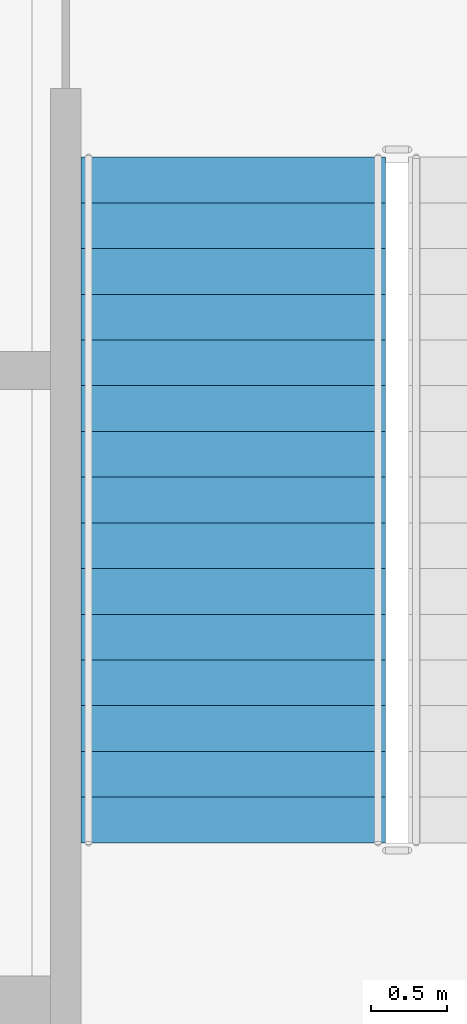
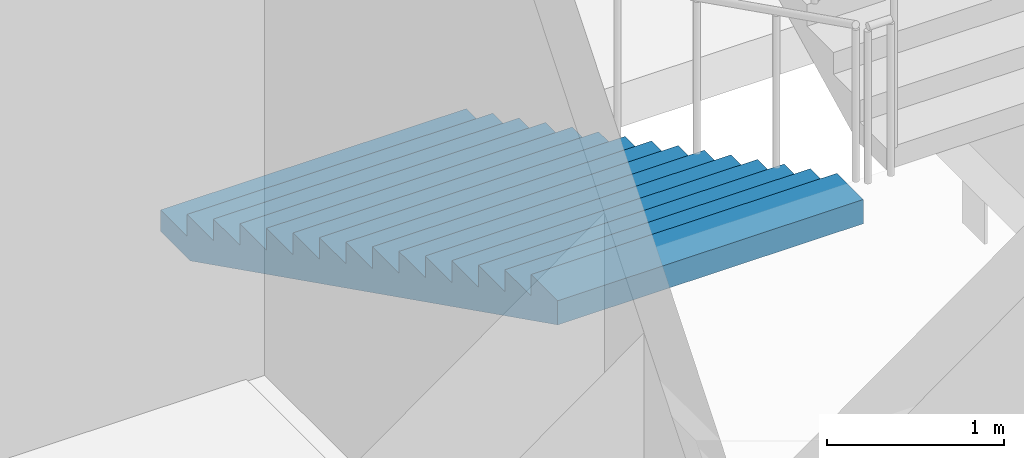
# One storey, part 60 of 91: 1 stair flight, 1 element without a shape of its own.
"""IFC4 building model written with IfcOpenShell, lengths in metres."""

from ifc_helpers import new_model, si_unit, direction, frame, origin, place, context, subcontext, project, spatial, faceted_brep, material, type_object, element, aggregate, save


model = new_model("IFC4")

# Units and contexts
model_context = context("Model", 3, precision=1e-05, world=origin(), true_north=direction((0.0, 1.0)))
body_context = subcontext(model_context, "Body", "Model", "MODEL_VIEW")
ifc_project = project(units=[si_unit("LENGTHUNIT", "METRE"), si_unit("AREAUNIT", "SQUARE_METRE"), si_unit("VOLUMEUNIT", "CUBIC_METRE"), si_unit("PLANEANGLEUNIT", "RADIAN"), si_unit("MASSUNIT", "GRAM", prefix="KILO")], contexts=[model_context])

# Site, building, storey
site_placement = place(None, origin())
site = spatial("IfcSite", under=ifc_project, at=site_placement, CompositionType="ELEMENT")
building_placement = place(site_placement, origin())
building = spatial("IfcBuilding", under=site, at=building_placement, Name="Kiln Court Media Centre", CompositionType="ELEMENT")
storey_placement = place(building_placement, frame((0.0, 0.0, 5.39990234375)))
storey = spatial("IfcBuildingStorey", under=building, at=storey_placement, Name="L01", CompositionType="ELEMENT", Elevation=5.39990234375)

# Stair, stair flight
ifc_material_1 = material(Name="Concrete C40/50", Category="concrete")
stair_type = type_object("IfcStairType", Name="Concrete C40/50 dog-leg stair 2000 wide, 150 riser", PredefinedType="HALF_TURN_STAIR", material=ifc_material_1)
stair_placement = place(storey_placement, origin())
stair = element("IfcStair", 1, at=stair_placement, inside=storey, type_object=stair_type, Name="ST-12 L01", PredefinedType="HALF_TURN_STAIR")
ifc_material_2 = material(Name="Concrete C40/50", Category="concrete")
stair_flight_type = type_object("IfcStairFlightType", Name="Concrete C40/50 stair flight 2000 wide, 150 riser, 300 going", PredefinedType="STRAIGHT", material=ifc_material_2)
stair_flight_placement = place(storey_placement, frame((97.199951171875, 64.39990234375, 0.0), z_axis=(0.0, 0.0, 1.0), x_axis=(0.0, -1.0, 0.0)))
stair_flight = element("IfcStairFlight", 2, at=stair_flight_placement, type_object=stair_flight_type, Name="L01-ST-5011 flight 5022", NumberOfRisers=16, NumberOfTreads=15, PredefinedType="STRAIGHT", RiserHeight=0.15, TreadLength=0.3, context=body_context, shape_type="Brep", body=[
    faceted_brep([(0.335205078125, -1.0, 0.0), (4.5, -1.0, 2.08251953125), (4.5, -1.0, 2.25), (4.199951171875, -1.0, 2.25), (4.199951171875, -1.0, 2.10009765625), (3.89990234375, -1.0, 2.10009765625), (3.89990234375, -1.0, 1.949951171875), (3.60009765625, -1.0, 1.949951171875), (3.60009765625, -1.0, 1.800048828125), (3.300048828125, -1.0, 1.800048828125), (3.300048828125, -1.0, 1.64990234375), (3.0, -1.0, 1.64990234375), (3.0, -1.0, 1.5), (2.699951171875, -1.0, 1.5), (2.699951171875, -1.0, 1.35009765625), (2.39990234375, -1.0, 1.35009765625), (2.39990234375, -1.0, 1.199951171875), (2.10009765625, -1.0, 1.199951171875), (2.10009765625, -1.0, 1.050048828125), (1.800048828125, -1.0, 1.050048828125), (1.800048828125, -1.0, 0.89990234375), (1.5, -1.0, 0.89990234375), (1.5, -1.0, 0.75), (1.199951171875, -1.0, 0.75), (1.199951171875, -1.0, 0.60009765625), (0.89990234375, -1.0, 0.60009765625), (0.89990234375, -1.0, 0.449951171875), (0.60009765625, -1.0, 0.449951171875), (0.60009765625, -1.0, 0.300048828125), (0.300048828125, -1.0, 0.300048828125), (0.300048828125, -1.0, 0.14990234375), (0.0, -1.0, 0.14990234375), (0.0, -1.0, 0.0), (0.0, 1.0, 0.0), (0.0, 1.0, 0.14990234375), (0.300048828125, 1.0, 0.14990234375), (0.300048828125, 1.0, 0.300048828125), (0.60009765625, 1.0, 0.300048828125), (0.60009765625, 1.0, 0.449951171875), (0.89990234375, 1.0, 0.449951171875), (0.89990234375, 1.0, 0.60009765625), (1.199951171875, 1.0, 0.60009765625), (1.199951171875, 1.0, 0.75), (1.5, 1.0, 0.75), (1.5, 1.0, 0.89990234375), (1.800048828125, 1.0, 0.89990234375), (1.800048828125, 1.0, 1.050048828125), (2.10009765625, 1.0, 1.050048828125), (2.10009765625, 1.0, 1.199951171875), (2.39990234375, 1.0, 1.199951171875), (2.39990234375, 1.0, 1.35009765625), (2.699951171875, 1.0, 1.35009765625), (2.699951171875, 1.0, 1.5), (3.0, 1.0, 1.5), (3.0, 1.0, 1.64990234375), (3.300048828125, 1.0, 1.64990234375), (3.300048828125, 1.0, 1.800048828125), (3.60009765625, 1.0, 1.800048828125), (3.60009765625, 1.0, 1.949951171875), (3.89990234375, 1.0, 1.949951171875), (3.89990234375, 1.0, 2.10009765625), (4.199951171875, 1.0, 2.10009765625), (4.199951171875, 1.0, 2.25), (4.5, 1.0, 2.25), (4.5, 1.0, 2.08251953125), (0.335205078125, 1.0, 0.0), (4.5, 0.10009765625, 2.08251953125), (0.335205078125, 0.10009765625, 0.0), (4.5, 0.080078125, 2.08251953125), (0.335205078125, 0.080078125, 0.0), (4.5, 0.06005859375, 2.08251953125), (0.335205078125, 0.06005859375, 0.0), (4.5, 0.0400390625, 2.08251953125), (0.335205078125, 0.0400390625, 0.0), (4.5, 0.02001953125, 2.08251953125), (0.335205078125, 0.02001953125, 0.0), (4.5, 0.0, 2.08251953125), (0.335205078125, 0.0, 0.0), (4.5, -0.02001953125, 2.08251953125), (0.335205078125, -0.02001953125, 0.0), (4.5, -0.0400390625, 2.08251953125), (0.335205078125, -0.0400390625, 0.0), (4.5, -0.06005859375, 2.08251953125), (0.335205078125, -0.06005859375, 0.0), (4.5, -0.080078125, 2.08251953125), (0.335205078125, -0.080078125, 0.0), (4.5, -0.10009765625, 2.08251953125), (0.335205078125, -0.10009765625, 0.0), (4.5, 0.10009765625, 2.25), (4.5, 0.080078125, 2.25), (4.5, 0.06005859375, 2.25), (4.5, 0.0400390625, 2.25), (4.5, 0.02001953125, 2.25), (4.5, 0.0, 2.25), (4.5, -0.02001953125, 2.25), (4.5, -0.0400390625, 2.25), (4.5, -0.06005859375, 2.25), (4.5, -0.080078125, 2.25), (4.5, -0.10009765625, 2.25), (4.199951171875, 0.10009765625, 2.25), (4.199951171875, 0.080078125, 2.25), (4.199951171875, 0.06005859375, 2.25), (4.199951171875, 0.0400390625, 2.25), (4.199951171875, 0.02001953125, 2.25), (4.199951171875, 0.0, 2.25), (4.199951171875, -0.02001953125, 2.25), (4.199951171875, -0.0400390625, 2.25), (4.199951171875, -0.06005859375, 2.25), (4.199951171875, -0.080078125, 2.25), (4.199951171875, -0.10009765625, 2.25), (4.199951171875, 0.10009765625, 2.10009765625), (4.199951171875, 0.080078125, 2.10009765625), (4.199951171875, 0.06005859375, 2.10009765625), (4.199951171875, 0.0400390625, 2.10009765625), (4.199951171875, 0.02001953125, 2.10009765625), (4.199951171875, 0.0, 2.10009765625), (4.199951171875, -0.02001953125, 2.10009765625), (4.199951171875, -0.0400390625, 2.10009765625), (4.199951171875, -0.06005859375, 2.10009765625), (4.199951171875, -0.080078125, 2.10009765625), (4.199951171875, -0.10009765625, 2.10009765625), (3.89990234375, 0.10009765625, 2.10009765625), (3.89990234375, 0.080078125, 2.10009765625), (3.89990234375, 0.06005859375, 2.10009765625), (3.89990234375, 0.0400390625, 2.10009765625), (3.89990234375, 0.02001953125, 2.10009765625), (3.89990234375, 0.0, 2.10009765625), (3.89990234375, -0.02001953125, 2.10009765625), (3.89990234375, -0.0400390625, 2.10009765625), (3.89990234375, -0.06005859375, 2.10009765625), (3.89990234375, -0.080078125, 2.10009765625), (3.89990234375, -0.10009765625, 2.10009765625), (3.89990234375, 0.10009765625, 1.949951171875), (3.89990234375, 0.080078125, 1.949951171875), (3.89990234375, 0.06005859375, 1.949951171875), (3.89990234375, 0.0400390625, 1.949951171875), (3.89990234375, 0.02001953125, 1.949951171875), (3.89990234375, 0.0, 1.949951171875), (3.89990234375, -0.02001953125, 1.949951171875), (3.89990234375, -0.0400390625, 1.949951171875), (3.89990234375, -0.06005859375, 1.949951171875), (3.89990234375, -0.080078125, 1.949951171875), (3.89990234375, -0.10009765625, 1.949951171875), (3.60009765625, 0.10009765625, 1.949951171875), (3.60009765625, 0.080078125, 1.949951171875), (3.60009765625, 0.06005859375, 1.949951171875), (3.60009765625, 0.0400390625, 1.949951171875), (3.60009765625, 0.02001953125, 1.949951171875), (3.60009765625, 0.0, 1.949951171875), (3.60009765625, -0.02001953125, 1.949951171875), (3.60009765625, -0.0400390625, 1.949951171875), (3.60009765625, -0.06005859375, 1.949951171875), (3.60009765625, -0.080078125, 1.949951171875), (3.60009765625, -0.10009765625, 1.949951171875), (3.60009765625, 0.10009765625, 1.800048828125), (3.60009765625, 0.080078125, 1.800048828125), (3.60009765625, 0.06005859375, 1.800048828125), (3.60009765625, 0.0400390625, 1.800048828125), (3.60009765625, 0.02001953125, 1.800048828125), (3.60009765625, 0.0, 1.800048828125), (3.60009765625, -0.02001953125, 1.800048828125), (3.60009765625, -0.0400390625, 1.800048828125), (3.60009765625, -0.06005859375, 1.800048828125), (3.60009765625, -0.080078125, 1.800048828125), (3.60009765625, -0.10009765625, 1.800048828125), (3.300048828125, 0.10009765625, 1.800048828125), (3.300048828125, 0.080078125, 1.800048828125), (3.300048828125, 0.06005859375, 1.800048828125), (3.300048828125, 0.0400390625, 1.800048828125), (3.300048828125, 0.02001953125, 1.800048828125), (3.300048828125, 0.0, 1.800048828125), (3.300048828125, -0.02001953125, 1.800048828125), (3.300048828125, -0.0400390625, 1.800048828125), (3.300048828125, -0.06005859375, 1.800048828125), (3.300048828125, -0.080078125, 1.800048828125), (3.300048828125, -0.10009765625, 1.800048828125), (3.300048828125, 0.10009765625, 1.64990234375), (3.300048828125, 0.080078125, 1.64990234375), (3.300048828125, 0.06005859375, 1.64990234375), (3.300048828125, 0.0400390625, 1.64990234375), (3.300048828125, 0.02001953125, 1.64990234375), (3.300048828125, 0.0, 1.64990234375), (3.300048828125, -0.02001953125, 1.64990234375), (3.300048828125, -0.0400390625, 1.64990234375), (3.300048828125, -0.06005859375, 1.64990234375), (3.300048828125, -0.080078125, 1.64990234375), (3.300048828125, -0.10009765625, 1.64990234375), (3.0, 0.10009765625, 1.64990234375), (3.0, 0.080078125, 1.64990234375), (3.0, 0.06005859375, 1.64990234375), (3.0, 0.0400390625, 1.64990234375), (3.0, 0.02001953125, 1.64990234375), (3.0, 0.0, 1.64990234375), (3.0, -0.02001953125, 1.64990234375), (3.0, -0.0400390625, 1.64990234375), (3.0, -0.06005859375, 1.64990234375), (3.0, -0.080078125, 1.64990234375), (3.0, -0.10009765625, 1.64990234375), (3.0, 0.10009765625, 1.5), (3.0, 0.080078125, 1.5), (3.0, 0.06005859375, 1.5), (3.0, 0.0400390625, 1.5), (3.0, 0.02001953125, 1.5), (3.0, 0.0, 1.5), (3.0, -0.02001953125, 1.5), (3.0, -0.0400390625, 1.5), (3.0, -0.06005859375, 1.5), (3.0, -0.080078125, 1.5), (3.0, -0.10009765625, 1.5), (2.699951171875, 0.10009765625, 1.5), (2.699951171875, 0.080078125, 1.5), (2.699951171875, 0.06005859375, 1.5), (2.699951171875, 0.0400390625, 1.5), (2.699951171875, 0.02001953125, 1.5), (2.699951171875, 0.0, 1.5), (2.699951171875, -0.02001953125, 1.5), (2.699951171875, -0.0400390625, 1.5), (2.699951171875, -0.06005859375, 1.5), (2.699951171875, -0.080078125, 1.5), (2.699951171875, -0.10009765625, 1.5), (2.699951171875, 0.10009765625, 1.35009765625), (2.699951171875, 0.080078125, 1.35009765625), (2.699951171875, 0.06005859375, 1.35009765625), (2.699951171875, 0.0400390625, 1.35009765625), (2.699951171875, 0.02001953125, 1.35009765625), (2.699951171875, 0.0, 1.35009765625), (2.699951171875, -0.02001953125, 1.35009765625), (2.699951171875, -0.0400390625, 1.35009765625), (2.699951171875, -0.06005859375, 1.35009765625), (2.699951171875, -0.080078125, 1.35009765625), (2.699951171875, -0.10009765625, 1.35009765625), (2.39990234375, 0.10009765625, 1.35009765625), (2.39990234375, 0.080078125, 1.35009765625), (2.39990234375, 0.06005859375, 1.35009765625), (2.39990234375, 0.0400390625, 1.35009765625), (2.39990234375, 0.02001953125, 1.35009765625), (2.39990234375, 0.0, 1.35009765625), (2.39990234375, -0.02001953125, 1.35009765625), (2.39990234375, -0.0400390625, 1.35009765625), (2.39990234375, -0.06005859375, 1.35009765625), (2.39990234375, -0.080078125, 1.35009765625), (2.39990234375, -0.10009765625, 1.35009765625), (2.39990234375, 0.10009765625, 1.199951171875), (2.39990234375, 0.080078125, 1.199951171875), (2.39990234375, 0.06005859375, 1.199951171875), (2.39990234375, 0.0400390625, 1.199951171875), (2.39990234375, 0.02001953125, 1.199951171875), (2.39990234375, 0.0, 1.199951171875), (2.39990234375, -0.02001953125, 1.199951171875), (2.39990234375, -0.0400390625, 1.199951171875), (2.39990234375, -0.06005859375, 1.199951171875), (2.39990234375, -0.080078125, 1.199951171875), (2.39990234375, -0.10009765625, 1.199951171875), (2.10009765625, 0.10009765625, 1.199951171875), (2.10009765625, 0.080078125, 1.199951171875), (2.10009765625, 0.06005859375, 1.199951171875), (2.10009765625, 0.0400390625, 1.199951171875), (2.10009765625, 0.02001953125, 1.199951171875), (2.10009765625, 0.0, 1.199951171875), (2.10009765625, -0.02001953125, 1.199951171875), (2.10009765625, -0.0400390625, 1.199951171875), (2.10009765625, -0.06005859375, 1.199951171875), (2.10009765625, -0.080078125, 1.199951171875), (2.10009765625, -0.10009765625, 1.199951171875), (2.10009765625, 0.10009765625, 1.050048828125), (2.10009765625, 0.080078125, 1.050048828125), (2.10009765625, 0.06005859375, 1.050048828125), (2.10009765625, 0.0400390625, 1.050048828125), (2.10009765625, 0.02001953125, 1.050048828125), (2.10009765625, 0.0, 1.050048828125), (2.10009765625, -0.02001953125, 1.050048828125), (2.10009765625, -0.0400390625, 1.050048828125), (2.10009765625, -0.06005859375, 1.050048828125), (2.10009765625, -0.080078125, 1.050048828125), (2.10009765625, -0.10009765625, 1.050048828125), (1.800048828125, 0.10009765625, 1.050048828125), (1.800048828125, 0.080078125, 1.050048828125), (1.800048828125, 0.06005859375, 1.050048828125), (1.800048828125, 0.0400390625, 1.050048828125), (1.800048828125, 0.02001953125, 1.050048828125), (1.800048828125, 0.0, 1.050048828125), (1.800048828125, -0.02001953125, 1.050048828125), (1.800048828125, -0.0400390625, 1.050048828125), (1.800048828125, -0.06005859375, 1.050048828125), (1.800048828125, -0.080078125, 1.050048828125), (1.800048828125, -0.10009765625, 1.050048828125), (1.800048828125, 0.10009765625, 0.89990234375), (1.800048828125, 0.080078125, 0.89990234375), (1.800048828125, 0.06005859375, 0.89990234375), (1.800048828125, 0.0400390625, 0.89990234375), (1.800048828125, 0.02001953125, 0.89990234375), (1.800048828125, 0.0, 0.89990234375), (1.800048828125, -0.02001953125, 0.89990234375), (1.800048828125, -0.0400390625, 0.89990234375), (1.800048828125, -0.06005859375, 0.89990234375), (1.800048828125, -0.080078125, 0.89990234375), (1.800048828125, -0.10009765625, 0.89990234375), (1.5, 0.10009765625, 0.89990234375), (1.5, 0.080078125, 0.89990234375), (1.5, 0.06005859375, 0.89990234375), (1.5, 0.0400390625, 0.89990234375), (1.5, 0.02001953125, 0.89990234375), (1.5, 0.0, 0.89990234375), (1.5, -0.02001953125, 0.89990234375), (1.5, -0.0400390625, 0.89990234375), (1.5, -0.06005859375, 0.89990234375), (1.5, -0.080078125, 0.89990234375), (1.5, -0.10009765625, 0.89990234375), (1.5, 0.10009765625, 0.75), (1.5, 0.080078125, 0.75), (1.5, 0.06005859375, 0.75), (1.5, 0.0400390625, 0.75), (1.5, 0.02001953125, 0.75), (1.5, 0.0, 0.75), (1.5, -0.02001953125, 0.75), (1.5, -0.0400390625, 0.75), (1.5, -0.06005859375, 0.75), (1.5, -0.080078125, 0.75), (1.5, -0.10009765625, 0.75), (1.199951171875, 0.10009765625, 0.75), (1.199951171875, 0.080078125, 0.75), (1.199951171875, 0.06005859375, 0.75), (1.199951171875, 0.0400390625, 0.75), (1.199951171875, 0.02001953125, 0.75), (1.199951171875, 0.0, 0.75), (1.199951171875, -0.02001953125, 0.75), (1.199951171875, -0.0400390625, 0.75), (1.199951171875, -0.06005859375, 0.75), (1.199951171875, -0.080078125, 0.75), (1.199951171875, -0.10009765625, 0.75), (1.199951171875, 0.10009765625, 0.60009765625), (1.199951171875, 0.080078125, 0.60009765625), (1.199951171875, 0.06005859375, 0.60009765625), (1.199951171875, 0.0400390625, 0.60009765625), (1.199951171875, 0.02001953125, 0.60009765625), (1.199951171875, 0.0, 0.60009765625), (1.199951171875, -0.02001953125, 0.60009765625), (1.199951171875, -0.0400390625, 0.60009765625), (1.199951171875, -0.06005859375, 0.60009765625), (1.199951171875, -0.080078125, 0.60009765625), (1.199951171875, -0.10009765625, 0.60009765625), (0.89990234375, 0.10009765625, 0.60009765625), (0.89990234375, 0.080078125, 0.60009765625), (0.89990234375, 0.06005859375, 0.60009765625), (0.89990234375, 0.0400390625, 0.60009765625), (0.89990234375, 0.02001953125, 0.60009765625), (0.89990234375, 0.0, 0.60009765625), (0.89990234375, -0.02001953125, 0.60009765625), (0.89990234375, -0.0400390625, 0.60009765625), (0.89990234375, -0.06005859375, 0.60009765625), (0.89990234375, -0.080078125, 0.60009765625), (0.89990234375, -0.10009765625, 0.60009765625), (0.89990234375, 0.10009765625, 0.449951171875), (0.89990234375, 0.080078125, 0.449951171875), (0.89990234375, 0.06005859375, 0.449951171875), (0.89990234375, 0.0400390625, 0.449951171875), (0.89990234375, 0.02001953125, 0.449951171875), (0.89990234375, 0.0, 0.449951171875), (0.89990234375, -0.02001953125, 0.449951171875), (0.89990234375, -0.0400390625, 0.449951171875), (0.89990234375, -0.06005859375, 0.449951171875), (0.89990234375, -0.080078125, 0.449951171875), (0.89990234375, -0.10009765625, 0.449951171875), (0.60009765625, 0.10009765625, 0.449951171875), (0.60009765625, 0.080078125, 0.449951171875), (0.60009765625, 0.06005859375, 0.449951171875), (0.60009765625, 0.0400390625, 0.449951171875), (0.60009765625, 0.02001953125, 0.449951171875), (0.60009765625, 0.0, 0.449951171875), (0.60009765625, -0.02001953125, 0.449951171875), (0.60009765625, -0.0400390625, 0.449951171875), (0.60009765625, -0.06005859375, 0.449951171875), (0.60009765625, -0.080078125, 0.449951171875), (0.60009765625, -0.10009765625, 0.449951171875), (0.60009765625, 0.10009765625, 0.300048828125), (0.60009765625, 0.080078125, 0.300048828125), (0.60009765625, 0.06005859375, 0.300048828125), (0.60009765625, 0.0400390625, 0.300048828125), (0.60009765625, 0.02001953125, 0.300048828125), (0.60009765625, 0.0, 0.300048828125), (0.60009765625, -0.02001953125, 0.300048828125), (0.60009765625, -0.0400390625, 0.300048828125), (0.60009765625, -0.06005859375, 0.300048828125), (0.60009765625, -0.080078125, 0.300048828125), (0.60009765625, -0.10009765625, 0.300048828125), (0.300048828125, 0.10009765625, 0.300048828125), (0.300048828125, 0.080078125, 0.300048828125), (0.300048828125, 0.06005859375, 0.300048828125), (0.300048828125, 0.0400390625, 0.300048828125), (0.300048828125, 0.02001953125, 0.300048828125), (0.300048828125, 0.0, 0.300048828125), (0.300048828125, -0.02001953125, 0.300048828125), (0.300048828125, -0.0400390625, 0.300048828125), (0.300048828125, -0.06005859375, 0.300048828125), (0.300048828125, -0.080078125, 0.300048828125), (0.300048828125, -0.10009765625, 0.300048828125), (0.300048828125, 0.10009765625, 0.14990234375), (0.300048828125, 0.080078125, 0.14990234375), (0.300048828125, 0.06005859375, 0.14990234375), (0.300048828125, 0.0400390625, 0.14990234375), (0.300048828125, 0.02001953125, 0.14990234375), (0.300048828125, 0.0, 0.14990234375), (0.300048828125, -0.02001953125, 0.14990234375), (0.300048828125, -0.0400390625, 0.14990234375), (0.300048828125, -0.06005859375, 0.14990234375), (0.300048828125, -0.080078125, 0.14990234375), (0.300048828125, -0.10009765625, 0.14990234375), (0.0, 0.10009765625, 0.14990234375), (0.0, 0.080078125, 0.14990234375), (0.0, 0.06005859375, 0.14990234375), (0.0, 0.0400390625, 0.14990234375), (0.0, 0.02001953125, 0.14990234375), (0.0, 0.0, 0.14990234375), (0.0, -0.02001953125, 0.14990234375), (0.0, -0.0400390625, 0.14990234375), (0.0, -0.06005859375, 0.14990234375), (0.0, -0.080078125, 0.14990234375), (0.0, -0.10009765625, 0.14990234375), (0.0, 0.10009765625, 0.0), (0.0, 0.080078125, 0.0), (0.0, 0.06005859375, 0.0), (0.0, 0.0400390625, 0.0), (0.0, 0.02001953125, 0.0), (0.0, 0.0, 0.0), (0.0, -0.02001953125, 0.0), (0.0, -0.0400390625, 0.0), (0.0, -0.06005859375, 0.0), (0.0, -0.080078125, 0.0), (0.0, -0.10009765625, 0.0)], [[[0, 1, 2, 3, 4, 5, 6, 7, 8, 9, 10, 11, 12, 13, 14, 15, 16, 17, 18, 19, 20, 21, 22, 23, 24, 25, 26, 27, 28, 29, 30, 31, 32]], [[33, 34, 35, 36, 37, 38, 39, 40, 41, 42, 43, 44, 45, 46, 47, 48, 49, 50, 51, 52, 53, 54, 55, 56, 57, 58, 59, 60, 61, 62, 63, 64, 65]], [[65, 64, 66, 67]], [[67, 66, 68, 69]], [[69, 68, 70, 71]], [[71, 70, 72, 73]], [[73, 72, 74, 75]], [[75, 74, 76, 77]], [[77, 76, 78, 79]], [[79, 78, 80, 81]], [[81, 80, 82, 83]], [[83, 82, 84, 85]], [[85, 84, 86, 87]], [[87, 86, 1, 0]], [[64, 63, 88, 66]], [[66, 88, 89, 68]], [[68, 89, 90, 70]], [[70, 90, 91, 72]], [[72, 91, 92, 74]], [[74, 92, 93, 76]], [[76, 93, 94, 78]], [[78, 94, 95, 80]], [[80, 95, 96, 82]], [[82, 96, 97, 84]], [[84, 97, 98, 86]], [[86, 98, 2, 1]], [[63, 62, 99, 88]], [[88, 99, 100, 89]], [[89, 100, 101, 90]], [[90, 101, 102, 91]], [[91, 102, 103, 92]], [[92, 103, 104, 93]], [[93, 104, 105, 94]], [[94, 105, 106, 95]], [[95, 106, 107, 96]], [[96, 107, 108, 97]], [[97, 108, 109, 98]], [[98, 109, 3, 2]], [[62, 61, 110, 99]], [[99, 110, 111, 100]], [[100, 111, 112, 101]], [[101, 112, 113, 102]], [[102, 113, 114, 103]], [[103, 114, 115, 104]], [[104, 115, 116, 105]], [[105, 116, 117, 106]], [[106, 117, 118, 107]], [[107, 118, 119, 108]], [[108, 119, 120, 109]], [[109, 120, 4, 3]], [[61, 60, 121, 110]], [[110, 121, 122, 111]], [[111, 122, 123, 112]], [[112, 123, 124, 113]], [[113, 124, 125, 114]], [[114, 125, 126, 115]], [[115, 126, 127, 116]], [[116, 127, 128, 117]], [[117, 128, 129, 118]], [[118, 129, 130, 119]], [[119, 130, 131, 120]], [[120, 131, 5, 4]], [[60, 59, 132, 121]], [[121, 132, 133, 122]], [[122, 133, 134, 123]], [[123, 134, 135, 124]], [[124, 135, 136, 125]], [[125, 136, 137, 126]], [[126, 137, 138, 127]], [[127, 138, 139, 128]], [[128, 139, 140, 129]], [[129, 140, 141, 130]], [[130, 141, 142, 131]], [[131, 142, 6, 5]], [[59, 58, 143, 132]], [[132, 143, 144, 133]], [[133, 144, 145, 134]], [[134, 145, 146, 135]], [[135, 146, 147, 136]], [[136, 147, 148, 137]], [[137, 148, 149, 138]], [[138, 149, 150, 139]], [[139, 150, 151, 140]], [[140, 151, 152, 141]], [[141, 152, 153, 142]], [[142, 153, 7, 6]], [[58, 57, 154, 143]], [[143, 154, 155, 144]], [[144, 155, 156, 145]], [[145, 156, 157, 146]], [[146, 157, 158, 147]], [[147, 158, 159, 148]], [[148, 159, 160, 149]], [[149, 160, 161, 150]], [[150, 161, 162, 151]], [[151, 162, 163, 152]], [[152, 163, 164, 153]], [[153, 164, 8, 7]], [[57, 56, 165, 154]], [[154, 165, 166, 155]], [[155, 166, 167, 156]], [[156, 167, 168, 157]], [[157, 168, 169, 158]], [[158, 169, 170, 159]], [[159, 170, 171, 160]], [[160, 171, 172, 161]], [[161, 172, 173, 162]], [[162, 173, 174, 163]], [[163, 174, 175, 164]], [[164, 175, 9, 8]], [[56, 55, 176, 165]], [[165, 176, 177, 166]], [[166, 177, 178, 167]], [[167, 178, 179, 168]], [[168, 179, 180, 169]], [[169, 180, 181, 170]], [[170, 181, 182, 171]], [[171, 182, 183, 172]], [[172, 183, 184, 173]], [[173, 184, 185, 174]], [[174, 185, 186, 175]], [[175, 186, 10, 9]], [[55, 54, 187, 176]], [[176, 187, 188, 177]], [[177, 188, 189, 178]], [[178, 189, 190, 179]], [[179, 190, 191, 180]], [[180, 191, 192, 181]], [[181, 192, 193, 182]], [[182, 193, 194, 183]], [[183, 194, 195, 184]], [[184, 195, 196, 185]], [[185, 196, 197, 186]], [[186, 197, 11, 10]], [[54, 53, 198, 187]], [[187, 198, 199, 188]], [[188, 199, 200, 189]], [[189, 200, 201, 190]], [[190, 201, 202, 191]], [[191, 202, 203, 192]], [[192, 203, 204, 193]], [[193, 204, 205, 194]], [[194, 205, 206, 195]], [[195, 206, 207, 196]], [[196, 207, 208, 197]], [[197, 208, 12, 11]], [[53, 52, 209, 198]], [[198, 209, 210, 199]], [[199, 210, 211, 200]], [[200, 211, 212, 201]], [[201, 212, 213, 202]], [[202, 213, 214, 203]], [[203, 214, 215, 204]], [[204, 215, 216, 205]], [[205, 216, 217, 206]], [[206, 217, 218, 207]], [[207, 218, 219, 208]], [[208, 219, 13, 12]], [[52, 51, 220, 209]], [[209, 220, 221, 210]], [[210, 221, 222, 211]], [[211, 222, 223, 212]], [[212, 223, 224, 213]], [[213, 224, 225, 214]], [[214, 225, 226, 215]], [[215, 226, 227, 216]], [[216, 227, 228, 217]], [[217, 228, 229, 218]], [[218, 229, 230, 219]], [[219, 230, 14, 13]], [[51, 50, 231, 220]], [[220, 231, 232, 221]], [[221, 232, 233, 222]], [[222, 233, 234, 223]], [[223, 234, 235, 224]], [[224, 235, 236, 225]], [[225, 236, 237, 226]], [[226, 237, 238, 227]], [[227, 238, 239, 228]], [[228, 239, 240, 229]], [[229, 240, 241, 230]], [[230, 241, 15, 14]], [[50, 49, 242, 231]], [[231, 242, 243, 232]], [[232, 243, 244, 233]], [[233, 244, 245, 234]], [[234, 245, 246, 235]], [[235, 246, 247, 236]], [[236, 247, 248, 237]], [[237, 248, 249, 238]], [[238, 249, 250, 239]], [[239, 250, 251, 240]], [[240, 251, 252, 241]], [[241, 252, 16, 15]], [[49, 48, 253, 242]], [[242, 253, 254, 243]], [[243, 254, 255, 244]], [[244, 255, 256, 245]], [[245, 256, 257, 246]], [[246, 257, 258, 247]], [[247, 258, 259, 248]], [[248, 259, 260, 249]], [[249, 260, 261, 250]], [[250, 261, 262, 251]], [[251, 262, 263, 252]], [[252, 263, 17, 16]], [[48, 47, 264, 253]], [[253, 264, 265, 254]], [[254, 265, 266, 255]], [[255, 266, 267, 256]], [[256, 267, 268, 257]], [[257, 268, 269, 258]], [[258, 269, 270, 259]], [[259, 270, 271, 260]], [[260, 271, 272, 261]], [[261, 272, 273, 262]], [[262, 273, 274, 263]], [[263, 274, 18, 17]], [[47, 46, 275, 264]], [[264, 275, 276, 265]], [[265, 276, 277, 266]], [[266, 277, 278, 267]], [[267, 278, 279, 268]], [[268, 279, 280, 269]], [[269, 280, 281, 270]], [[270, 281, 282, 271]], [[271, 282, 283, 272]], [[272, 283, 284, 273]], [[273, 284, 285, 274]], [[274, 285, 19, 18]], [[46, 45, 286, 275]], [[275, 286, 287, 276]], [[276, 287, 288, 277]], [[277, 288, 289, 278]], [[278, 289, 290, 279]], [[279, 290, 291, 280]], [[280, 291, 292, 281]], [[281, 292, 293, 282]], [[282, 293, 294, 283]], [[283, 294, 295, 284]], [[284, 295, 296, 285]], [[285, 296, 20, 19]], [[45, 44, 297, 286]], [[286, 297, 298, 287]], [[287, 298, 299, 288]], [[288, 299, 300, 289]], [[289, 300, 301, 290]], [[290, 301, 302, 291]], [[291, 302, 303, 292]], [[292, 303, 304, 293]], [[293, 304, 305, 294]], [[294, 305, 306, 295]], [[295, 306, 307, 296]], [[296, 307, 21, 20]], [[44, 43, 308, 297]], [[297, 308, 309, 298]], [[298, 309, 310, 299]], [[299, 310, 311, 300]], [[300, 311, 312, 301]], [[301, 312, 313, 302]], [[302, 313, 314, 303]], [[303, 314, 315, 304]], [[304, 315, 316, 305]], [[305, 316, 317, 306]], [[306, 317, 318, 307]], [[307, 318, 22, 21]], [[43, 42, 319, 308]], [[308, 319, 320, 309]], [[309, 320, 321, 310]], [[310, 321, 322, 311]], [[311, 322, 323, 312]], [[312, 323, 324, 313]], [[313, 324, 325, 314]], [[314, 325, 326, 315]], [[315, 326, 327, 316]], [[316, 327, 328, 317]], [[317, 328, 329, 318]], [[318, 329, 23, 22]], [[42, 41, 330, 319]], [[319, 330, 331, 320]], [[320, 331, 332, 321]], [[321, 332, 333, 322]], [[322, 333, 334, 323]], [[323, 334, 335, 324]], [[324, 335, 336, 325]], [[325, 336, 337, 326]], [[326, 337, 338, 327]], [[327, 338, 339, 328]], [[328, 339, 340, 329]], [[329, 340, 24, 23]], [[41, 40, 341, 330]], [[330, 341, 342, 331]], [[331, 342, 343, 332]], [[332, 343, 344, 333]], [[333, 344, 345, 334]], [[334, 345, 346, 335]], [[335, 346, 347, 336]], [[336, 347, 348, 337]], [[337, 348, 349, 338]], [[338, 349, 350, 339]], [[339, 350, 351, 340]], [[340, 351, 25, 24]], [[40, 39, 352, 341]], [[341, 352, 353, 342]], [[342, 353, 354, 343]], [[343, 354, 355, 344]], [[344, 355, 356, 345]], [[345, 356, 357, 346]], [[346, 357, 358, 347]], [[347, 358, 359, 348]], [[348, 359, 360, 349]], [[349, 360, 361, 350]], [[350, 361, 362, 351]], [[351, 362, 26, 25]], [[39, 38, 363, 352]], [[352, 363, 364, 353]], [[353, 364, 365, 354]], [[354, 365, 366, 355]], [[355, 366, 367, 356]], [[356, 367, 368, 357]], [[357, 368, 369, 358]], [[358, 369, 370, 359]], [[359, 370, 371, 360]], [[360, 371, 372, 361]], [[361, 372, 373, 362]], [[362, 373, 27, 26]], [[38, 37, 374, 363]], [[363, 374, 375, 364]], [[364, 375, 376, 365]], [[365, 376, 377, 366]], [[366, 377, 378, 367]], [[367, 378, 379, 368]], [[368, 379, 380, 369]], [[369, 380, 381, 370]], [[370, 381, 382, 371]], [[371, 382, 383, 372]], [[372, 383, 384, 373]], [[373, 384, 28, 27]], [[37, 36, 385, 374]], [[374, 385, 386, 375]], [[375, 386, 387, 376]], [[376, 387, 388, 377]], [[377, 388, 389, 378]], [[378, 389, 390, 379]], [[379, 390, 391, 380]], [[380, 391, 392, 381]], [[381, 392, 393, 382]], [[382, 393, 394, 383]], [[383, 394, 395, 384]], [[384, 395, 29, 28]], [[36, 35, 396, 385]], [[385, 396, 397, 386]], [[386, 397, 398, 387]], [[387, 398, 399, 388]], [[388, 399, 400, 389]], [[389, 400, 401, 390]], [[390, 401, 402, 391]], [[391, 402, 403, 392]], [[392, 403, 404, 393]], [[393, 404, 405, 394]], [[394, 405, 406, 395]], [[395, 406, 30, 29]], [[35, 34, 407, 396]], [[396, 407, 408, 397]], [[397, 408, 409, 398]], [[398, 409, 410, 399]], [[399, 410, 411, 400]], [[400, 411, 412, 401]], [[401, 412, 413, 402]], [[402, 413, 414, 403]], [[403, 414, 415, 404]], [[404, 415, 416, 405]], [[405, 416, 417, 406]], [[406, 417, 31, 30]], [[34, 33, 418, 407]], [[407, 418, 419, 408]], [[408, 419, 420, 409]], [[409, 420, 421, 410]], [[410, 421, 422, 411]], [[411, 422, 423, 412]], [[412, 423, 424, 413]], [[413, 424, 425, 414]], [[414, 425, 426, 415]], [[415, 426, 427, 416]], [[416, 427, 428, 417]], [[417, 428, 32, 31]], [[33, 65, 67, 418]], [[418, 67, 69, 419]], [[419, 69, 71, 420]], [[420, 71, 73, 421]], [[421, 73, 75, 422]], [[422, 75, 77, 423]], [[423, 77, 79, 424]], [[424, 79, 81, 425]], [[425, 81, 83, 426]], [[426, 83, 85, 427]], [[427, 85, 87, 428]], [[428, 87, 0, 32]]]),
])
aggregate(stair, [stair_flight])

save(model, "model.ifc")
